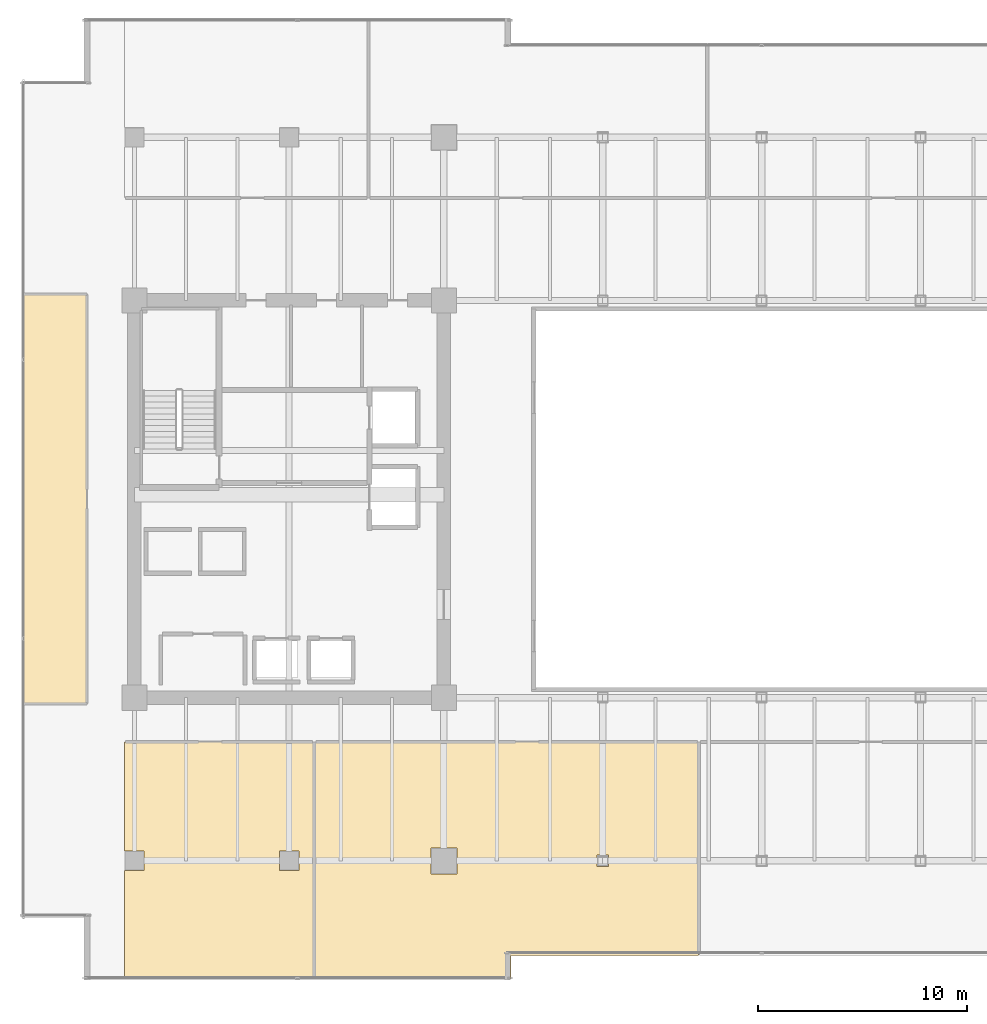
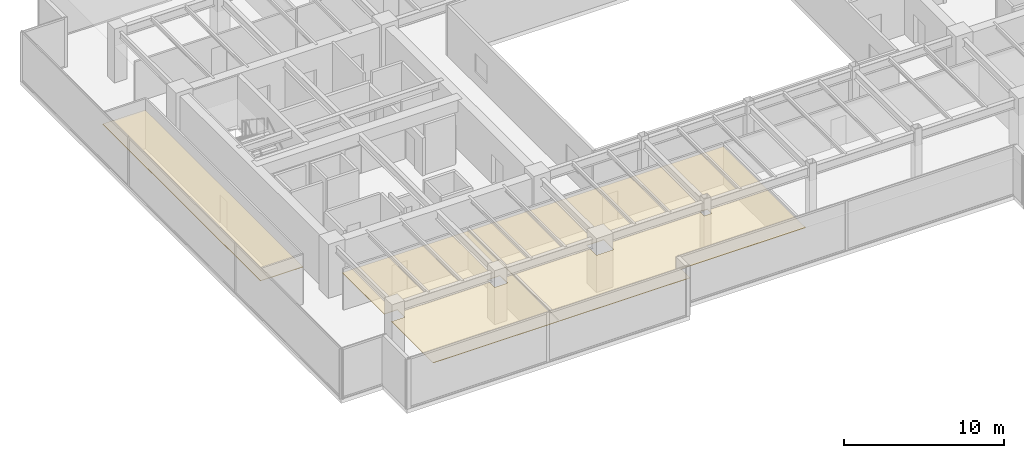
# One storey, part 29 of 33: 3 coverings.
"""IFC4 building model written with IfcOpenShell, lengths in metres."""

from ifc_helpers import new_model, si_unit, direction, frame, origin, place, context, subcontext, project, spatial, polyline, outline, extrude, material, layer, layer_set, type_object, element, save


model = new_model("IFC4")

# Units and contexts
model_context = context("Model", 3, precision=1e-05, world=origin(), true_north=direction((0.0, 1.0)))
body_context = subcontext(model_context, "Body", "Model", "MODEL_VIEW")
ifc_project = project(units=[si_unit("LENGTHUNIT", "METRE"), si_unit("AREAUNIT", "SQUARE_METRE"), si_unit("VOLUMEUNIT", "CUBIC_METRE"), si_unit("PLANEANGLEUNIT", "RADIAN"), si_unit("MASSUNIT", "GRAM", prefix="KILO")], contexts=[model_context])

# Site, building, storey
site_placement = place(None, origin())
site = spatial("IfcSite", under=ifc_project, at=site_placement, CompositionType="ELEMENT")
building_placement = place(site_placement, origin())
building = spatial("IfcBuilding", under=site, at=building_placement, Name="Haelvirn Gate Laboratories", CompositionType="ELEMENT")
storey_placement = place(building_placement, frame((0.0, 0.0, 117.39990234375)))
storey = spatial("IfcBuildingStorey", under=building, at=storey_placement, Name="L28", CompositionType="ELEMENT", Elevation=117.39990234375)

# Coverings
ifc_material = material(Name="Micro-perforated acoustic mineral-fibre laboratory ceiling")
ifc_layer = layer(ifc_material, 0.0400390625, Name="COV-CEIL-ACT")
ifc_layer_set = layer_set([ifc_layer], Name="Micro-perforated acoustic mineral-fibre laboratory ceiling")
covering_type = type_object("IfcCoveringType", Name="COV-CEIL-ACT", PredefinedType="CEILING", material=ifc_layer_set)
covering_1_placement = place(storey_placement, frame((0.0, 0.0, 2.820068359375)))
element("IfcCovering", 1, at=covering_1_placement, inside=storey, type_object=covering_type, Name="L28 Laboratory Acoustic Ceiling CEIL-SP-L28-S-01", PredefinedType="CEILING", context=body_context, shape_type="SweptSolid", body=[
    extrude(outline(polyline([(6.919921875, 6.590087890625), (6.929931640625, 6.590087890625), (6.929931640625, 6.530029296875), (7.8701171875, 6.530029296875), (7.8701171875, 7.469970703125), (6.929931640625, 7.469970703125), (6.929931640625, 7.409912109375), (6.919921875, 7.409912109375), (6.919921875, 12.679931640625), (15.97998046875, 12.679931640625), (15.97998046875, 1.35009765625), (6.919921875, 1.35009765625), (6.919921875, 6.590087890625)]), holes=[polyline([(14.330078125, 7.469970703125), (14.330078125, 6.530029296875), (15.27001953125, 6.530029296875), (15.27001953125, 7.469970703125), (14.330078125, 7.469970703125)])]), origin(), (0.0, 0.0, 1.0), 0.0400390625),
])
covering_2_placement = place(storey_placement, frame((0.0, 0.0, 2.820068359375)))
element("IfcCovering", 2, at=covering_2_placement, inside=storey, type_object=covering_type, Name="L28 Laboratory Acoustic Ceiling CEIL-SP-L28-S-02", PredefinedType="CEILING", context=body_context, shape_type="SweptSolid", body=[
    extrude(outline(polyline([(16.02001953125, 1.35009765625), (16.02001953125, 12.679931640625), (34.3798828125, 12.679931640625), (34.3798828125, 2.47998046875), (25.419921875, 2.47998046875), (25.419921875, 1.35009765625), (16.02001953125, 1.35009765625)]), holes=[polyline([(21.580078125, 7.6201171875), (21.580078125, 6.3798828125), (22.820068359375, 6.3798828125), (22.820068359375, 7.6201171875), (21.580078125, 7.6201171875)]), polyline([(30.070068359375, 7.27001953125), (29.530029296875, 7.27001953125), (29.530029296875, 6.72998046875), (30.070068359375, 6.72998046875), (30.070068359375, 7.27001953125)])]), origin(), (0.0, 0.0, 1.0), 0.0400390625),
])
covering_3_placement = place(storey_placement, frame((0.0, 0.0, 2.820068359375)))
element("IfcCovering", 3, at=covering_3_placement, inside=storey, type_object=covering_type, Name="L28 Laboratory Acoustic Ceiling CEIL-SP-L28-WCELL-01", PredefinedType="CEILING", context=body_context, shape_type="SweptSolid", body=[
    extrude(outline(polyline([(2.050048828125, 34.14501953125), (5.1201171875, 34.14501953125), (5.1201171875, 14.455078125), (2.050048828125, 14.455078125), (2.050048828125, 34.14501953125)])), origin(), (0.0, 0.0, 1.0), 0.0400390625),
])

save(model, "model.ifc")
